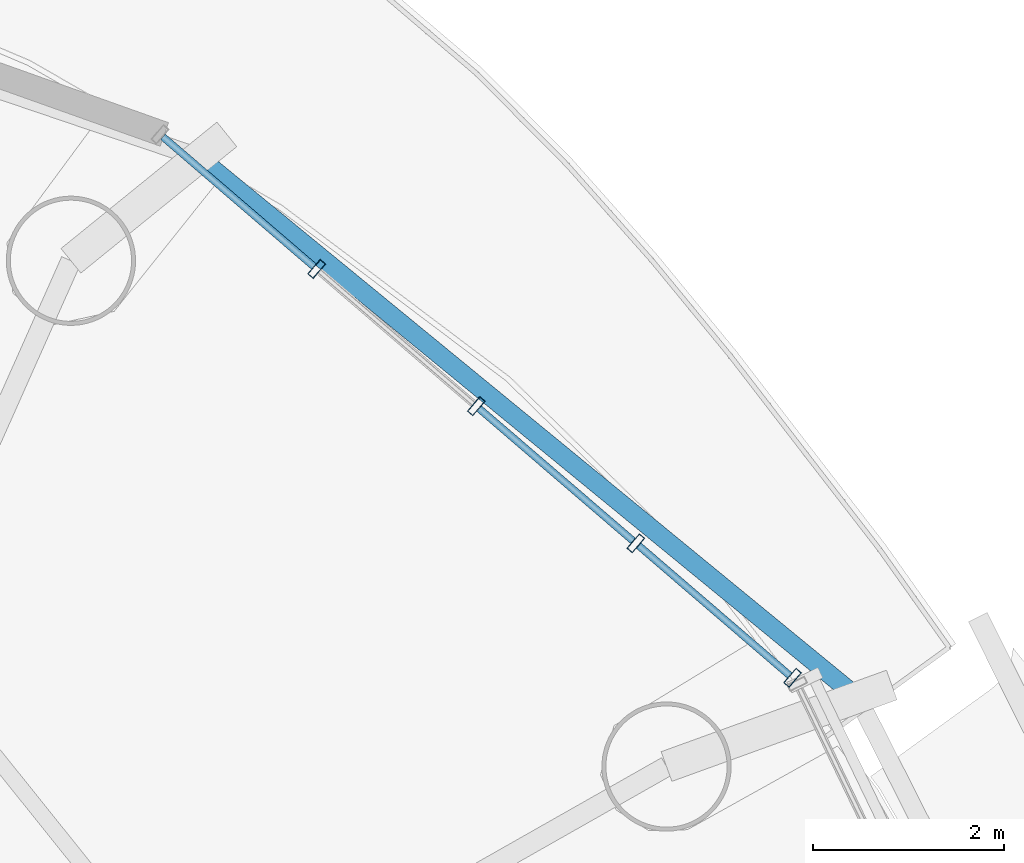
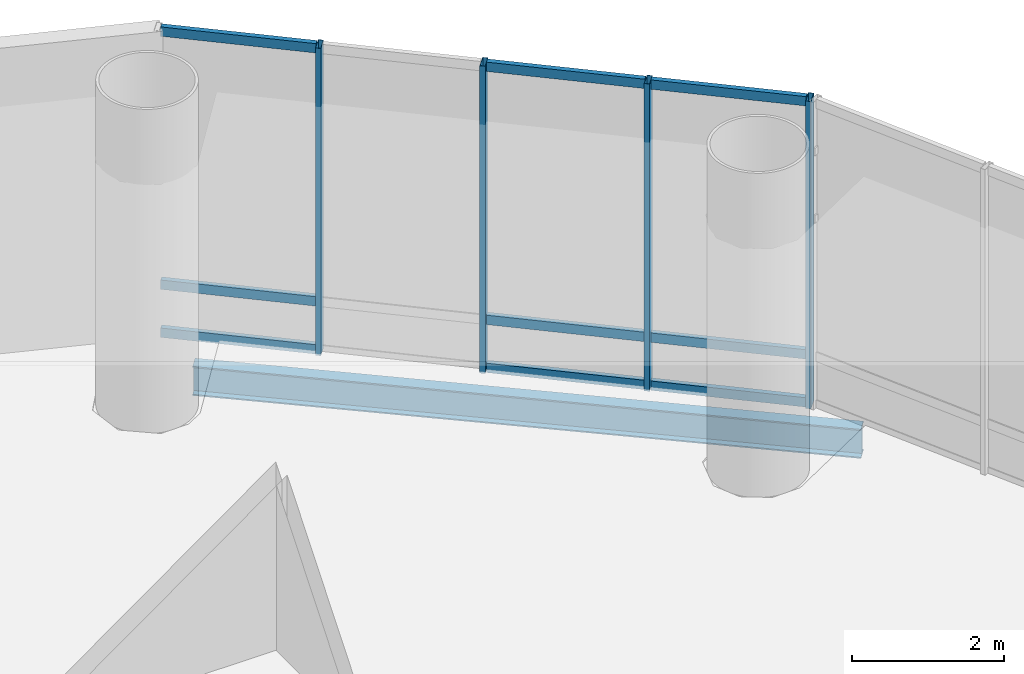
# One storey, part 18 of 29: 13 members, 1 beam, 1 element without a shape of its own.
"""IFC4 building model written with IfcOpenShell, lengths in metres."""

from ifc_helpers import new_model, si_unit, direction, frame, origin, origin_2d, place, context, subcontext, project, spatial, hollow_rectangle, i_section, extrude, source, transform, mapped, material, material_profile, profile_set, type_object, element, aggregate, save


model = new_model("IFC4")

# Units and contexts
model_context = context("Model", 3, precision=1e-05, world=origin(), true_north=direction((-0.2419218956, 0.970295726276)))
body_context = subcontext(model_context, "Body", "Model", "MODEL_VIEW")
ifc_project = project(units=[si_unit("LENGTHUNIT", "METRE"), si_unit("AREAUNIT", "SQUARE_METRE"), si_unit("VOLUMEUNIT", "CUBIC_METRE"), si_unit("PLANEANGLEUNIT", "RADIAN"), si_unit("MASSUNIT", "GRAM", prefix="KILO")], contexts=[model_context])

# Site, building, storey
site_placement = place(None, origin())
site = spatial("IfcSite", under=ifc_project, at=site_placement, CompositionType="ELEMENT")
building_placement = place(site_placement, origin())
building = spatial("IfcBuilding", under=site, at=building_placement, Name="Cobrevalo Terracotta Tower", CompositionType="ELEMENT")
storey_placement = place(building_placement, frame((0.0, 0.0, 130.199951171875)))
storey = spatial("IfcBuildingStorey", under=building, at=storey_placement, Name="L34", CompositionType="ELEMENT", Elevation=130.199951171875)

# Beam
ifc_material_1 = material(Name="Steel S355", Category="steel")
ifc_material_profile_1 = material_profile(ifc_material_1, i_section(OverallWidth=0.194091796875, OverallDepth=0.468994140625, WebThickness=0.011474609375, FlangeThickness=0.0205078125, at=origin_2d()), Name="W 460x106")
ifc_profile_set_1 = profile_set([ifc_material_profile_1], Name="Steel S355")
beam_type = type_object("IfcBeamType", Name="Structural Spandrel W 460x106 (Steel S355)", PredefinedType="SPANDREL", material=ifc_profile_set_1)
beam_placement = place(storey_placement, frame((58.7451171875, 38.161376953125, -0.6845703125), z_axis=(-0.773400923541, 0.633917196064, 0.0), x_axis=(-0.633917196064, -0.773400923541, 0.0)))
element("IfcBeam", 1, at=beam_placement, inside=storey, type_object=beam_type, Name="L34 perimeter ring spandrel 02", PredefinedType="SPANDREL", context=body_context, shape_type="SweptSolid", body=[
    extrude(i_section(OverallWidth=0.194091796875, OverallDepth=0.468994140625, WebThickness=0.011474609375, FlangeThickness=0.0205078125, at=origin_2d()), origin(), (0.0, 0.0, 1.0), 8.900390625),
])

# Curtain wall, members
ifc_material_2 = material(Name="Anodized aluminium", Category="aluminium")
curtain_wall_type = type_object("IfcCurtainWallType", Name="Double-height sky-lobby panoramic curtain wall CW-SK", PredefinedType="NOTDEFINED", material=ifc_material_2)
curtain_wall_placement = place(storey_placement, origin())
curtain_wall = element("IfcCurtainWall", 2, at=curtain_wall_placement, inside=storey, type_object=curtain_wall_type, Name="L34 curtain wall CW-SK-L34-S02", PredefinedType="NOTDEFINED")
ifc_material_profile_2 = material_profile(ifc_material_2, hollow_rectangle(XDim=0.074951171875, YDim=0.199951171875, WallThickness=0.0048828125, at=origin_2d()), Name="CWM 75x200")
ifc_profile_set_2 = profile_set([ifc_material_profile_2], Name="Anodized aluminium")
member_type_1 = type_object("IfcMemberType", Name="Lower/mid tower unitised mullion 75x200", PredefinedType="MULLION", material=ifc_profile_set_2)
shared_shape_1 = source(origin(), body_context, "Body", "SweptSolid", [
    extrude(hollow_rectangle(XDim=0.074951171875, YDim=0.199951171875, WallThickness=0.0048828125, at=origin_2d()), origin(), (0.0, 0.0, 1.0), 4.929931640625),
])
member_1_placement = place(storey_placement, frame((58.066162109375, 38.365234375, 0.0), z_axis=(0.0, 0.0, 1.0), x_axis=(-0.758441546142, 0.65174106905, 0.0)))
member_1 = element("IfcMember", 3, at=member_1_placement, type_object=member_type_1, Name="CW-SK-L34-S02 vertical mullion 01", PredefinedType="MULLION", context=body_context, shape_type="MappedRepresentation", body=[
    mapped(shared_shape_1, transform((0.0, 0.0, 0.0), scale=1.0)),
])
member_2_placement = place(storey_placement, frame((56.429443359375, 39.771728515625, 0.0), z_axis=(0.0, 0.0, 1.0), x_axis=(-0.758441546142, 0.65174106905, 0.0)))
member_2 = element("IfcMember", 4, at=member_2_placement, type_object=member_type_1, Name="CW-SK-L34-S02 vertical mullion 02", PredefinedType="MULLION", context=body_context, shape_type="MappedRepresentation", body=[
    mapped(shared_shape_1, transform((0.0, 0.0, 0.0), scale=1.0)),
])
member_3_placement = place(storey_placement, frame((54.762451171875, 41.204345703125, 0.0), z_axis=(0.0, 0.0, 1.0), x_axis=(-0.758441546142, 0.65174106905, 0.0)))
member_3 = element("IfcMember", 5, at=member_3_placement, type_object=member_type_1, Name="CW-SK-L34-S02 vertical mullion 03", PredefinedType="MULLION", context=body_context, shape_type="MappedRepresentation", body=[
    mapped(shared_shape_1, transform((0.0, 0.0, 0.0), scale=1.0)),
])
member_4_placement = place(storey_placement, frame((53.09521484375, 42.636962890625, 0.0), z_axis=(0.0, 0.0, 1.0), x_axis=(-0.758441546142, 0.65174106905, 0.0)))
member_4 = element("IfcMember", 6, at=member_4_placement, type_object=member_type_1, Name="CW-SK-L34-S02 vertical mullion 04", PredefinedType="MULLION", context=body_context, shape_type="MappedRepresentation", body=[
    mapped(shared_shape_1, transform((0.0, 0.0, 0.0), scale=1.0)),
])
ifc_material_profile_3 = material_profile(ifc_material_2, hollow_rectangle(XDim=0.074951171875, YDim=0.14990234375, WallThickness=0.00439453125, at=origin_2d()), Name="CWT 75x150")
ifc_profile_set_3 = profile_set([ifc_material_profile_3], Name="Anodized aluminium")
member_type_2 = type_object("IfcMemberType", Name="Tower unitised aluminium transom 75x150", PredefinedType="USERDEFINED", material=ifc_profile_set_3)
shared_shape_2 = source(origin(), body_context, "Body", "SweptSolid", [
    extrude(hollow_rectangle(XDim=0.074951171875, YDim=0.14990234375, WallThickness=0.00439453125, at=origin_2d()), origin(), (0.0, 0.0, 1.0), 2.078125),
])
member_5_placement = place(storey_placement, frame((58.035888671875, 38.391357421875, 0.050048828125), z_axis=(-0.758426741801, 0.651758296703, 0.0), x_axis=(-0.651758296703, -0.758426741801, 0.0)))
member_5 = element("IfcMember", 7, at=member_5_placement, type_object=member_type_2, Name="CW-SK-L34-S02 transom B01-T1", ObjectType="TRANSOM", PredefinedType="USERDEFINED", context=body_context, shape_type="MappedRepresentation", body=[
    mapped(shared_shape_2, transform((0.0, 0.0, 0.0), scale=1.0)),
])
member_6_placement = place(storey_placement, frame((58.035888671875, 38.391357421875, 0.820068359375), z_axis=(-0.758426741801, 0.651758296703, 0.0), x_axis=(-0.651758296703, -0.758426741801, 0.0)))
member_6 = element("IfcMember", 8, at=member_6_placement, type_object=member_type_2, Name="CW-SK-L34-S02 transom B01-T2", ObjectType="TRANSOM", PredefinedType="USERDEFINED", context=body_context, shape_type="MappedRepresentation", body=[
    mapped(shared_shape_2, transform((0.0, 0.0, 0.0), scale=1.0)),
])
member_7_placement = place(storey_placement, frame((58.035888671875, 38.391357421875, 4.880126953125), z_axis=(-0.758426741801, 0.651758296703, 0.0), x_axis=(-0.651758296703, -0.758426741801, 0.0)))
member_7 = element("IfcMember", 9, at=member_7_placement, type_object=member_type_2, Name="CW-SK-L34-S02 transom B01-T3", ObjectType="TRANSOM", PredefinedType="USERDEFINED", context=body_context, shape_type="MappedRepresentation", body=[
    mapped(shared_shape_2, transform((0.0, 0.0, 0.0), scale=1.0)),
])
member_8_placement = place(storey_placement, frame((53.06494140625, 42.6630859375, 0.050048828125), z_axis=(-0.758426741801, 0.651758296703, 0.0), x_axis=(-0.651758296703, -0.758426741801, 0.0)))
member_8 = element("IfcMember", 10, at=member_8_placement, type_object=member_type_2, Name="CW-SK-L34-S02 transom B04-T1", ObjectType="TRANSOM", PredefinedType="USERDEFINED", context=body_context, shape_type="MappedRepresentation", body=[
    mapped(shared_shape_2, transform((0.0, 0.0, 0.0), scale=1.0)),
])
member_9_placement = place(storey_placement, frame((53.06494140625, 42.6630859375, 0.820068359375), z_axis=(-0.758426741801, 0.651758296703, 0.0), x_axis=(-0.651758296703, -0.758426741801, 0.0)))
member_9 = element("IfcMember", 11, at=member_9_placement, type_object=member_type_2, Name="CW-SK-L34-S02 transom B04-T2", ObjectType="TRANSOM", PredefinedType="USERDEFINED", context=body_context, shape_type="MappedRepresentation", body=[
    mapped(shared_shape_2, transform((0.0, 0.0, 0.0), scale=1.0)),
])
member_10_placement = place(storey_placement, frame((53.06494140625, 42.6630859375, 4.880126953125), z_axis=(-0.758426741801, 0.651758296703, 0.0), x_axis=(-0.651758296703, -0.758426741801, 0.0)))
member_10 = element("IfcMember", 12, at=member_10_placement, type_object=member_type_2, Name="CW-SK-L34-S02 transom B04-T3", ObjectType="TRANSOM", PredefinedType="USERDEFINED", context=body_context, shape_type="MappedRepresentation", body=[
    mapped(shared_shape_2, transform((0.0, 0.0, 0.0), scale=1.0)),
])
shared_shape_3 = source(origin(), body_context, "Body", "SweptSolid", [
    extrude(hollow_rectangle(XDim=0.074951171875, YDim=0.14990234375, WallThickness=0.00439453125, at=origin_2d()), origin(), (0.0, 0.0, 1.0), 2.117919921875),
])
member_11_placement = place(storey_placement, frame((56.399169921875, 39.7978515625, 0.050048828125), z_axis=(-0.758458654149, 0.651721159659, 0.0), x_axis=(-0.651721159659, -0.758458654149, 0.0)))
member_11 = element("IfcMember", 13, at=member_11_placement, type_object=member_type_2, Name="CW-SK-L34-S02 transom B02-T1", ObjectType="TRANSOM", PredefinedType="USERDEFINED", context=body_context, shape_type="MappedRepresentation", body=[
    mapped(shared_shape_3, transform((0.0, 0.0, 0.0), scale=1.0)),
])
member_12_placement = place(storey_placement, frame((56.399169921875, 39.7978515625, 0.820068359375), z_axis=(-0.758458654149, 0.651721159659, 0.0), x_axis=(-0.651721159659, -0.758458654149, 0.0)))
member_12 = element("IfcMember", 14, at=member_12_placement, type_object=member_type_2, Name="CW-SK-L34-S02 transom B02-T2", ObjectType="TRANSOM", PredefinedType="USERDEFINED", context=body_context, shape_type="MappedRepresentation", body=[
    mapped(shared_shape_3, transform((0.0, 0.0, 0.0), scale=1.0)),
])
member_13_placement = place(storey_placement, frame((56.399169921875, 39.7978515625, 4.880126953125), z_axis=(-0.758458654149, 0.651721159659, 0.0), x_axis=(-0.651721159659, -0.758458654149, 0.0)))
member_13 = element("IfcMember", 15, at=member_13_placement, type_object=member_type_2, Name="CW-SK-L34-S02 transom B02-T3", ObjectType="TRANSOM", PredefinedType="USERDEFINED", context=body_context, shape_type="MappedRepresentation", body=[
    mapped(shared_shape_3, transform((0.0, 0.0, 0.0), scale=1.0)),
])
aggregate(curtain_wall, [member_1, member_2, member_3, member_4, member_5, member_6, member_7, member_11, member_12, member_13, member_8, member_9, member_10])

save(model, "model.ifc")
